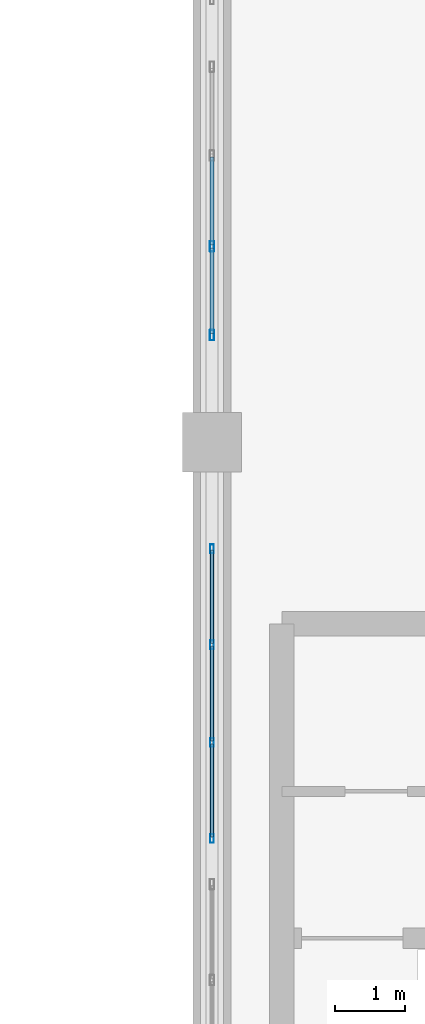
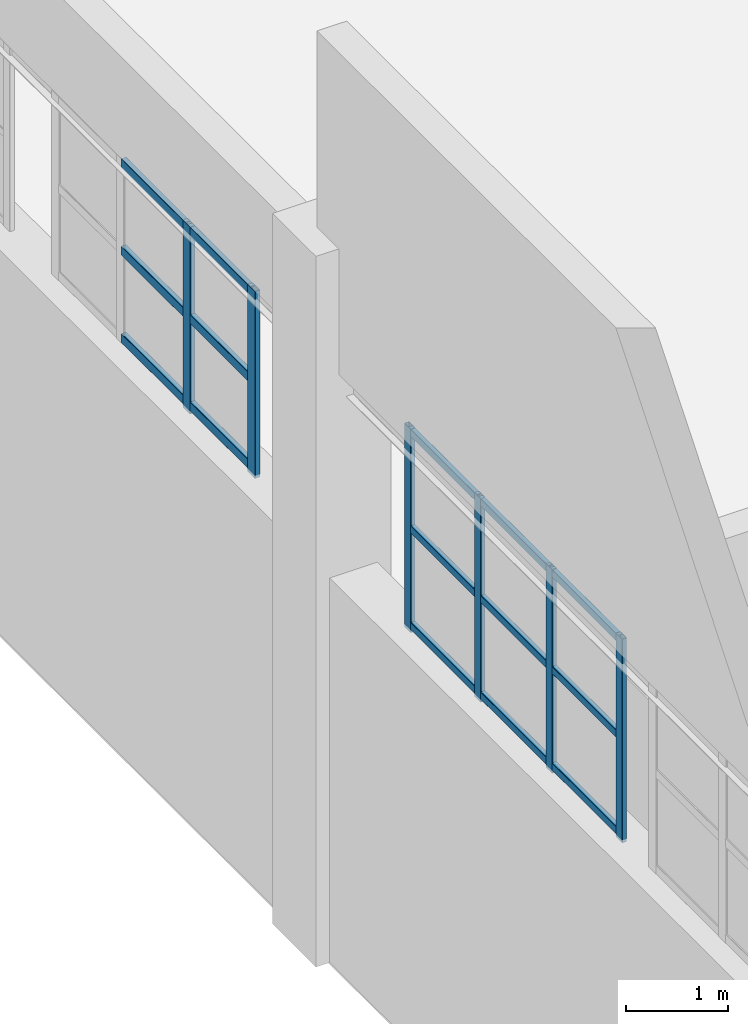
# One storey, part 16 of 97: 21 members, 2 elements without a shape of their own.
"""IFC4 building model written with IfcOpenShell, lengths in metres."""

from ifc_helpers import new_model, si_unit, derived_unit, direction, frame, origin, origin_2d, place, context, subcontext, project, spatial, hollow_rectangle, extrude, material, layer, layer_set, material_profile, profile_set, type_object, element, aggregate, save


model = new_model("IFC4")

# Units and contexts
model_context = context("Model", 3, precision=1e-05, world=origin(), true_north=direction((0.0, 1.0)))
body_context = subcontext(model_context, "Body", "Model", "MODEL_VIEW")
ifc_project = project(units=[si_unit("LENGTHUNIT", "METRE"), si_unit("AREAUNIT", "SQUARE_METRE"), si_unit("VOLUMEUNIT", "CUBIC_METRE"), si_unit("PLANEANGLEUNIT", "RADIAN"), si_unit("MASSUNIT", "GRAM", prefix="KILO"), derived_unit("THERMALTRANSMITTANCEUNIT", [(si_unit("POWERUNIT", "WATT"), 1), (si_unit("LENGTHUNIT", "METRE"), -2), (si_unit("THERMODYNAMICTEMPERATUREUNIT", "KELVIN"), -1)])], contexts=[model_context])

# Site, building, storey
site_placement = place(None, origin())
site = spatial("IfcSite", under=ifc_project, at=site_placement, CompositionType="ELEMENT")
building_placement = place(site_placement, origin())
building = spatial("IfcBuilding", under=site, at=building_placement, Name="Almenara Railside Exhibition Hall", CompositionType="ELEMENT")
storey_placement = place(building_placement, frame((0.0, 0.0, 10.800048828125)))
storey = spatial("IfcBuildingStorey", under=building, at=storey_placement, Name="L02", CompositionType="ELEMENT", Elevation=10.800048828125)

# Curtain wall, members
ifc_material_1 = material(Name="Bronze-anodised aluminium and low-E double glazing", Category="aluminium")
ifc_layer_1 = layer(ifc_material_1, 0.179931640625, Name="Bronze-anodised aluminium and low-E double glazing")
ifc_layer_set_1 = layer_set([ifc_layer_1], Name="Bronze-anodised aluminium and low-E double glazing")
curtain_wall_type_1 = type_object("IfcCurtainWallType", Name="West Hall Clerestory Curtain Wall 4200x2400", PredefinedType="NOTDEFINED", material=ifc_layer_set_1)
curtain_wall_1_placement = place(storey_placement, origin())
curtain_wall_1 = element("IfcCurtainWall", 1, at=curtain_wall_1_placement, inside=storey, type_object=curtain_wall_type_1, Name="Curtain wall CW-CL1-002", PredefinedType="NOTDEFINED")
ifc_material_2 = material(Name="Bronze-anodised aluminium", Category="aluminium")
ifc_material_profile_1 = material_profile(ifc_material_2, hollow_rectangle(XDim=0.054931640625, YDim=0.125, WallThickness=0.0029296875, InnerFilletRadius=0.0029296875, OuterFilletRadius=0.006103515625, at=origin_2d()), Name="ALU-MUL 55x125x3")
ifc_profile_set_1 = profile_set([ifc_material_profile_1], Name="Bronze-anodised aluminium")
member_type_1 = type_object("IfcMemberType", Name="Curtain Wall Mullion 55x125x3", PredefinedType="MULLION", material=ifc_profile_set_1)
member_1_placement = place(storey_placement, frame((12.0, 54.327392578125, 4.56494140625), z_axis=(0.0, 0.0, 1.0), x_axis=(-1.0, 0.0, 0.0)))
member_1 = element("IfcMember", 2, at=member_1_placement, type_object=member_type_1, Name="CW-CL1-002 mullion 1", PredefinedType="MULLION", context=body_context, shape_type="SweptSolid", body=[
    extrude(hollow_rectangle(XDim=0.054931640625, YDim=0.125, WallThickness=0.0029296875, InnerFilletRadius=0.0029296875, OuterFilletRadius=0.006103515625, at=origin_2d()), origin(), (0.0, 0.0, 1.0), 2.43505859375),
])
member_2_placement = place(storey_placement, frame((12.0, 55.699951171875, 4.56494140625), z_axis=(0.0, 0.0, 1.0), x_axis=(-1.0, 0.0, 0.0)))
member_2 = element("IfcMember", 3, at=member_2_placement, type_object=member_type_1, Name="CW-CL1-002 mullion 2", PredefinedType="MULLION", context=body_context, shape_type="SweptSolid", body=[
    extrude(hollow_rectangle(XDim=0.054931640625, YDim=0.125, WallThickness=0.0029296875, InnerFilletRadius=0.0029296875, OuterFilletRadius=0.006103515625, at=origin_2d()), origin(), (0.0, 0.0, 1.0), 2.43505859375),
])
member_3_placement = place(storey_placement, frame((12.0, 57.10009765625, 4.56494140625), z_axis=(0.0, 0.0, 1.0), x_axis=(-1.0, 0.0, 0.0)))
member_3 = element("IfcMember", 4, at=member_3_placement, type_object=member_type_1, Name="CW-CL1-002 mullion 3", PredefinedType="MULLION", context=body_context, shape_type="SweptSolid", body=[
    extrude(hollow_rectangle(XDim=0.054931640625, YDim=0.125, WallThickness=0.0029296875, InnerFilletRadius=0.0029296875, OuterFilletRadius=0.006103515625, at=origin_2d()), origin(), (0.0, 0.0, 1.0), 2.43505859375),
])
member_4_placement = place(storey_placement, frame((12.0, 58.472412109375, 4.56494140625), z_axis=(0.0, 0.0, 1.0), x_axis=(-1.0, 0.0, 0.0)))
member_4 = element("IfcMember", 5, at=member_4_placement, type_object=member_type_1, Name="CW-CL1-002 mullion 4", PredefinedType="MULLION", context=body_context, shape_type="SweptSolid", body=[
    extrude(hollow_rectangle(XDim=0.054931640625, YDim=0.125, WallThickness=0.0029296875, InnerFilletRadius=0.0029296875, OuterFilletRadius=0.006103515625, at=origin_2d()), origin(), (0.0, 0.0, 1.0), 2.43505859375),
])

ifc_layer_2 = layer(ifc_material_1, 0.179931640625, Name="Bronze-anodised aluminium and low-E double glazing")
ifc_layer_set_2 = layer_set([ifc_layer_2], Name="Bronze-anodised aluminium and low-E double glazing")
curtain_wall_type_2 = type_object("IfcCurtainWallType", Name="West Hall Clerestory Curtain Wall 3900x2200", PredefinedType="NOTDEFINED", material=ifc_layer_set_2)
curtain_wall_2_placement = place(storey_placement, origin())
curtain_wall_2 = element("IfcCurtainWall", 6, at=curtain_wall_2_placement, inside=storey, type_object=curtain_wall_type_2, Name="Curtain wall CW-CL2-005", PredefinedType="NOTDEFINED")
ifc_material_profile_2 = material_profile(ifc_material_2, hollow_rectangle(XDim=0.06005859375, YDim=0.14990234375, WallThickness=0.00341796875, InnerFilletRadius=0.00341796875, OuterFilletRadius=0.007080078125, at=origin_2d()), Name="ALU-MUL 60x150x3.5")
ifc_profile_set_2 = profile_set([ifc_material_profile_2], Name="Bronze-anodised aluminium")
member_type_2 = type_object("IfcMemberType", Name="Curtain Wall Mullion 60x150x3.5", PredefinedType="MULLION", material=ifc_profile_set_2)
member_5_placement = place(storey_placement, frame((12.0, 61.530029296875, 4.56494140625), z_axis=(0.0, 0.0, 1.0), x_axis=(-1.0, 0.0, 0.0)))
member_5 = element("IfcMember", 7, at=member_5_placement, type_object=member_type_2, Name="CW-CL2-005 mullion 1", PredefinedType="MULLION", context=body_context, shape_type="SweptSolid", body=[
    extrude(hollow_rectangle(XDim=0.06005859375, YDim=0.14990234375, WallThickness=0.00341796875, InnerFilletRadius=0.00341796875, OuterFilletRadius=0.007080078125, at=origin_2d()), origin(), (0.0, 0.0, 1.0), 2.235107421875),
])
member_6_placement = place(storey_placement, frame((12.0, 62.800048828125, 4.56494140625), z_axis=(0.0, 0.0, 1.0), x_axis=(-1.0, 0.0, 0.0)))
member_6 = element("IfcMember", 8, at=member_6_placement, type_object=member_type_2, Name="CW-CL2-005 mullion 2", PredefinedType="MULLION", context=body_context, shape_type="SweptSolid", body=[
    extrude(hollow_rectangle(XDim=0.06005859375, YDim=0.14990234375, WallThickness=0.00341796875, InnerFilletRadius=0.00341796875, OuterFilletRadius=0.007080078125, at=origin_2d()), origin(), (0.0, 0.0, 1.0), 2.235107421875),
])

# Member
ifc_material_profile_3 = material_profile(ifc_material_2, hollow_rectangle(XDim=0.054931640625, YDim=0.090087890625, WallThickness=0.0029296875, InnerFilletRadius=0.0029296875, OuterFilletRadius=0.006103515625, at=origin_2d()), Name="ALU-TRN 55x90x3")
ifc_profile_set_3 = profile_set([ifc_material_profile_3], Name="Bronze-anodised aluminium")
member_type_3 = type_object("IfcMemberType", Name="Curtain Wall Transom 55x90x3", PredefinedType="USERDEFINED", material=ifc_profile_set_3)
member_7_placement = place(storey_placement, frame((12.0, 54.346923828125, 4.64501953125), z_axis=(0.0, 1.0, 0.0), x_axis=(-1.0, 0.0, 0.0)))
member_7 = element("IfcMember", 9, at=member_7_placement, type_object=member_type_3, Name="CW-CL1-002 transom 1.1", ObjectType="TRANSOM", PredefinedType="USERDEFINED", context=body_context, shape_type="SweptSolid", body=[
    extrude(hollow_rectangle(XDim=0.054931640625, YDim=0.090087890625, WallThickness=0.0029296875, InnerFilletRadius=0.0029296875, OuterFilletRadius=0.006103515625, at=origin_2d()), origin(), (0.0, 0.0, 1.0), 1.33349609375),
])

member_8_placement = place(storey_placement, frame((12.0, 54.346923828125, 5.800048828125), z_axis=(0.0, 1.0, 0.0), x_axis=(-1.0, 0.0, 0.0)))
member_8 = element("IfcMember", 10, at=member_8_placement, type_object=member_type_3, Name="CW-CL1-002 transom 1.2", ObjectType="TRANSOM", PredefinedType="USERDEFINED", context=body_context, shape_type="SweptSolid", body=[
    extrude(hollow_rectangle(XDim=0.054931640625, YDim=0.090087890625, WallThickness=0.0029296875, InnerFilletRadius=0.0029296875, OuterFilletRadius=0.006103515625, at=origin_2d()), origin(), (0.0, 0.0, 1.0), 1.33349609375),
])

member_9_placement = place(storey_placement, frame((12.0, 54.346923828125, 6.954833984375), z_axis=(0.0, 1.0, 0.0), x_axis=(-1.0, 0.0, 0.0)))
member_9 = element("IfcMember", 11, at=member_9_placement, type_object=member_type_3, Name="CW-CL1-002 transom 1.3", ObjectType="TRANSOM", PredefinedType="USERDEFINED", context=body_context, shape_type="SweptSolid", body=[
    extrude(hollow_rectangle(XDim=0.054931640625, YDim=0.090087890625, WallThickness=0.0029296875, InnerFilletRadius=0.0029296875, OuterFilletRadius=0.006103515625, at=origin_2d()), origin(), (0.0, 0.0, 1.0), 1.33349609375),
])

member_10_placement = place(storey_placement, frame((12.0, 55.719482421875, 4.64501953125), z_axis=(0.0, 1.0, 0.0), x_axis=(-1.0, 0.0, 0.0)))
member_10 = element("IfcMember", 12, at=member_10_placement, type_object=member_type_3, Name="CW-CL1-002 transom 2.1", ObjectType="TRANSOM", PredefinedType="USERDEFINED", context=body_context, shape_type="SweptSolid", body=[
    extrude(hollow_rectangle(XDim=0.054931640625, YDim=0.090087890625, WallThickness=0.0029296875, InnerFilletRadius=0.0029296875, OuterFilletRadius=0.006103515625, at=origin_2d()), origin(), (0.0, 0.0, 1.0), 1.361083984375),
])

member_11_placement = place(storey_placement, frame((12.0, 55.719482421875, 5.800048828125), z_axis=(0.0, 1.0, 0.0), x_axis=(-1.0, 0.0, 0.0)))
member_11 = element("IfcMember", 13, at=member_11_placement, type_object=member_type_3, Name="CW-CL1-002 transom 2.2", ObjectType="TRANSOM", PredefinedType="USERDEFINED", context=body_context, shape_type="SweptSolid", body=[
    extrude(hollow_rectangle(XDim=0.054931640625, YDim=0.090087890625, WallThickness=0.0029296875, InnerFilletRadius=0.0029296875, OuterFilletRadius=0.006103515625, at=origin_2d()), origin(), (0.0, 0.0, 1.0), 1.361083984375),
])

member_12_placement = place(storey_placement, frame((12.0, 55.719482421875, 6.954833984375), z_axis=(0.0, 1.0, 0.0), x_axis=(-1.0, 0.0, 0.0)))
member_12 = element("IfcMember", 14, at=member_12_placement, type_object=member_type_3, Name="CW-CL1-002 transom 2.3", ObjectType="TRANSOM", PredefinedType="USERDEFINED", context=body_context, shape_type="SweptSolid", body=[
    extrude(hollow_rectangle(XDim=0.054931640625, YDim=0.090087890625, WallThickness=0.0029296875, InnerFilletRadius=0.0029296875, OuterFilletRadius=0.006103515625, at=origin_2d()), origin(), (0.0, 0.0, 1.0), 1.361083984375),
])

member_13_placement = place(storey_placement, frame((12.0, 57.119384765625, 4.64501953125), z_axis=(0.0, 1.0, 0.0), x_axis=(-1.0, 0.0, 0.0)))
member_13 = element("IfcMember", 15, at=member_13_placement, type_object=member_type_3, Name="CW-CL1-002 transom 3.1", ObjectType="TRANSOM", PredefinedType="USERDEFINED", context=body_context, shape_type="SweptSolid", body=[
    extrude(hollow_rectangle(XDim=0.054931640625, YDim=0.090087890625, WallThickness=0.0029296875, InnerFilletRadius=0.0029296875, OuterFilletRadius=0.006103515625, at=origin_2d()), origin(), (0.0, 0.0, 1.0), 1.33349609375),
])

member_14_placement = place(storey_placement, frame((12.0, 57.119384765625, 5.800048828125), z_axis=(0.0, 1.0, 0.0), x_axis=(-1.0, 0.0, 0.0)))
member_14 = element("IfcMember", 16, at=member_14_placement, type_object=member_type_3, Name="CW-CL1-002 transom 3.2", ObjectType="TRANSOM", PredefinedType="USERDEFINED", context=body_context, shape_type="SweptSolid", body=[
    extrude(hollow_rectangle(XDim=0.054931640625, YDim=0.090087890625, WallThickness=0.0029296875, InnerFilletRadius=0.0029296875, OuterFilletRadius=0.006103515625, at=origin_2d()), origin(), (0.0, 0.0, 1.0), 1.33349609375),
])

member_15_placement = place(storey_placement, frame((12.0, 57.119384765625, 6.954833984375), z_axis=(0.0, 1.0, 0.0), x_axis=(-1.0, 0.0, 0.0)))
member_15 = element("IfcMember", 17, at=member_15_placement, type_object=member_type_3, Name="CW-CL1-002 transom 3.3", ObjectType="TRANSOM", PredefinedType="USERDEFINED", context=body_context, shape_type="SweptSolid", body=[
    extrude(hollow_rectangle(XDim=0.054931640625, YDim=0.090087890625, WallThickness=0.0029296875, InnerFilletRadius=0.0029296875, OuterFilletRadius=0.006103515625, at=origin_2d()), origin(), (0.0, 0.0, 1.0), 1.33349609375),
])

aggregate(curtain_wall_1, [member_1, member_2, member_3, member_4, member_7, member_8, member_9, member_10, member_11, member_12, member_13, member_14, member_15])

ifc_material_profile_4 = material_profile(ifc_material_2, hollow_rectangle(XDim=0.06005859375, YDim=0.110107421875, WallThickness=0.0029296875, InnerFilletRadius=0.0029296875, OuterFilletRadius=0.006103515625, at=origin_2d()), Name="ALU-TRN 60x110x3")
ifc_profile_set_4 = profile_set([ifc_material_profile_4], Name="Bronze-anodised aluminium")
member_type_4 = type_object("IfcMemberType", Name="Curtain Wall Transom 60x110x3", PredefinedType="USERDEFINED", material=ifc_profile_set_4)
member_16_placement = place(storey_placement, frame((12.0, 61.552001953125, 4.655029296875), z_axis=(0.0, 1.0, 0.0), x_axis=(-1.0, 0.0, 0.0)))
member_16 = element("IfcMember", 18, at=member_16_placement, type_object=member_type_4, Name="CW-CL2-005 transom 1.1", ObjectType="TRANSOM", PredefinedType="USERDEFINED", context=body_context, shape_type="SweptSolid", body=[
    extrude(hollow_rectangle(XDim=0.06005859375, YDim=0.110107421875, WallThickness=0.0029296875, InnerFilletRadius=0.0029296875, OuterFilletRadius=0.006103515625, at=origin_2d()), origin(), (0.0, 0.0, 1.0), 1.22607421875),
])

member_17_placement = place(storey_placement, frame((12.0, 61.552001953125, 5.699951171875), z_axis=(0.0, 1.0, 0.0), x_axis=(-1.0, 0.0, 0.0)))
member_17 = element("IfcMember", 19, at=member_17_placement, type_object=member_type_4, Name="CW-CL2-005 transom 1.2", ObjectType="TRANSOM", PredefinedType="USERDEFINED", context=body_context, shape_type="SweptSolid", body=[
    extrude(hollow_rectangle(XDim=0.06005859375, YDim=0.110107421875, WallThickness=0.0029296875, InnerFilletRadius=0.0029296875, OuterFilletRadius=0.006103515625, at=origin_2d()), origin(), (0.0, 0.0, 1.0), 1.22607421875),
])

member_18_placement = place(storey_placement, frame((12.0, 61.552001953125, 6.744873046875), z_axis=(0.0, 1.0, 0.0), x_axis=(-1.0, 0.0, 0.0)))
member_18 = element("IfcMember", 20, at=member_18_placement, type_object=member_type_4, Name="CW-CL2-005 transom 1.3", ObjectType="TRANSOM", PredefinedType="USERDEFINED", context=body_context, shape_type="SweptSolid", body=[
    extrude(hollow_rectangle(XDim=0.06005859375, YDim=0.110107421875, WallThickness=0.0029296875, InnerFilletRadius=0.0029296875, OuterFilletRadius=0.006103515625, at=origin_2d()), origin(), (0.0, 0.0, 1.0), 1.22607421875),
])

member_19_placement = place(storey_placement, frame((12.0, 62.822021484375, 4.655029296875), z_axis=(0.0, 1.0, 0.0), x_axis=(-1.0, 0.0, 0.0)))
member_19 = element("IfcMember", 21, at=member_19_placement, type_object=member_type_4, Name="CW-CL2-005 transom 2.1", ObjectType="TRANSOM", PredefinedType="USERDEFINED", context=body_context, shape_type="SweptSolid", body=[
    extrude(hollow_rectangle(XDim=0.06005859375, YDim=0.110107421875, WallThickness=0.0029296875, InnerFilletRadius=0.0029296875, OuterFilletRadius=0.006103515625, at=origin_2d()), origin(), (0.0, 0.0, 1.0), 1.255859375),
])

member_20_placement = place(storey_placement, frame((12.0, 62.822021484375, 5.699951171875), z_axis=(0.0, 1.0, 0.0), x_axis=(-1.0, 0.0, 0.0)))
member_20 = element("IfcMember", 22, at=member_20_placement, type_object=member_type_4, Name="CW-CL2-005 transom 2.2", ObjectType="TRANSOM", PredefinedType="USERDEFINED", context=body_context, shape_type="SweptSolid", body=[
    extrude(hollow_rectangle(XDim=0.06005859375, YDim=0.110107421875, WallThickness=0.0029296875, InnerFilletRadius=0.0029296875, OuterFilletRadius=0.006103515625, at=origin_2d()), origin(), (0.0, 0.0, 1.0), 1.255859375),
])

member_21_placement = place(storey_placement, frame((12.0, 62.822021484375, 6.744873046875), z_axis=(0.0, 1.0, 0.0), x_axis=(-1.0, 0.0, 0.0)))
member_21 = element("IfcMember", 23, at=member_21_placement, type_object=member_type_4, Name="CW-CL2-005 transom 2.3", ObjectType="TRANSOM", PredefinedType="USERDEFINED", context=body_context, shape_type="SweptSolid", body=[
    extrude(hollow_rectangle(XDim=0.06005859375, YDim=0.110107421875, WallThickness=0.0029296875, InnerFilletRadius=0.0029296875, OuterFilletRadius=0.006103515625, at=origin_2d()), origin(), (0.0, 0.0, 1.0), 1.255859375),
])

aggregate(curtain_wall_2, [member_5, member_6, member_16, member_17, member_18, member_19, member_20, member_21])

save(model, "model.ifc")
